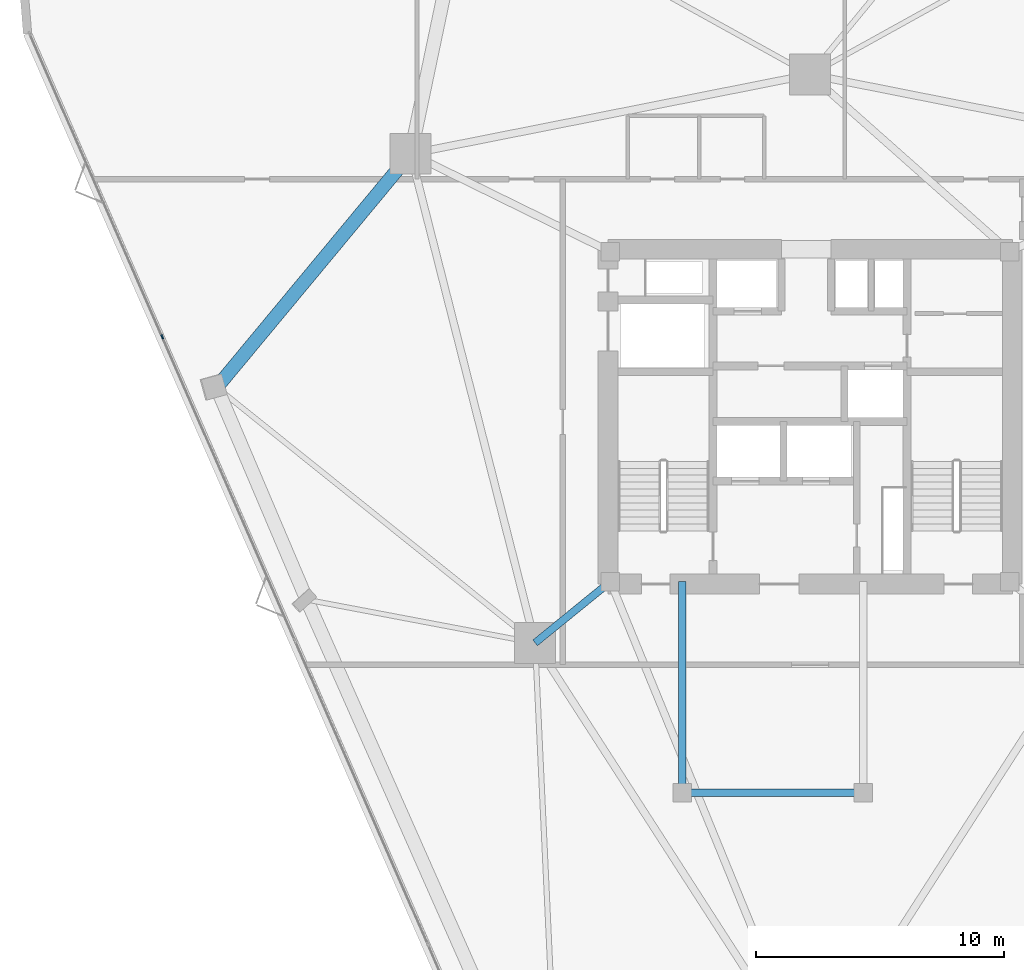
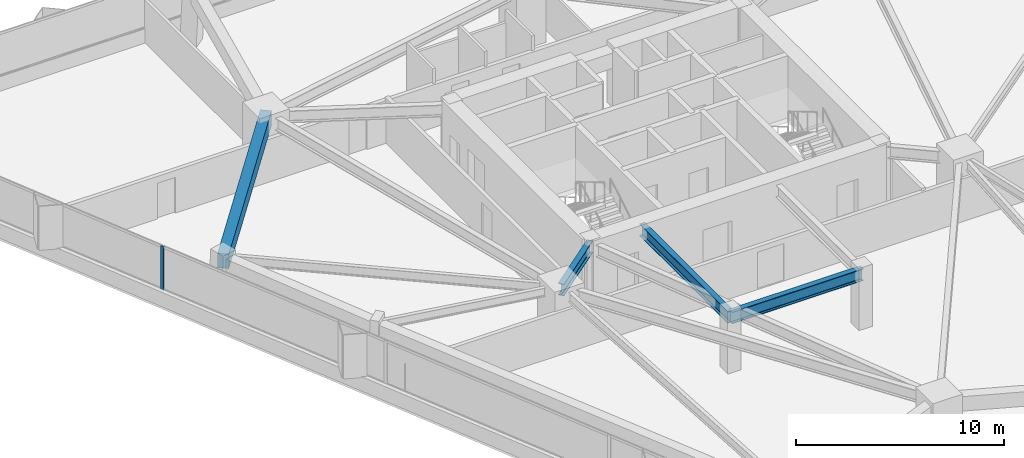
# One storey, part 6 of 19: 4 beams, 1 member, 1 element without a shape of its own.
"""IFC4 building model written with IfcOpenShell, lengths in metres."""

from ifc_helpers import new_model, si_unit, direction, frame, origin, origin_2d, place, context, subcontext, project, spatial, rectangle, i_section, extrude, material, layer, layer_set, material_profile, profile_set, type_object, element, aggregate, save


model = new_model("IFC4")

# Units and contexts
model_context = context("Model", 3, precision=1e-05, world=origin(), true_north=direction((0.0, 1.0)))
body_context = subcontext(model_context, "Body", "Model", "MODEL_VIEW")
ifc_project = project(units=[si_unit("LENGTHUNIT", "METRE"), si_unit("AREAUNIT", "SQUARE_METRE"), si_unit("VOLUMEUNIT", "CUBIC_METRE"), si_unit("PLANEANGLEUNIT", "RADIAN"), si_unit("MASSUNIT", "GRAM", prefix="KILO")], contexts=[model_context])

# Site, building, storey
site_placement = place(None, origin())
site = spatial("IfcSite", under=ifc_project, at=site_placement, CompositionType="ELEMENT")
building_placement = place(site_placement, origin())
building = spatial("IfcBuilding", under=site, at=building_placement, Name="Talyreon Biosciences Tower", CompositionType="ELEMENT")
storey_placement = place(building_placement, frame((0.0, 0.0, 82.300048828125)))
storey = spatial("IfcBuildingStorey", under=building, at=storey_placement, Name="L21", CompositionType="ELEMENT", Elevation=82.300048828125)

# Curtain wall, member
ifc_material_1 = material(Name="Thermally broken aluminium and low-E glazing", Category="aluminium")
ifc_layer = layer(ifc_material_1, 0.18994140625)
ifc_layer_set = layer_set([ifc_layer], Name="Thermally broken aluminium and low-E glazing")
curtain_wall_type = type_object("IfcCurtainWallType", Name="CurtainWall_Zone2Genomics", PredefinedType="NOTDEFINED", material=ifc_layer_set)
curtain_wall_placement = place(storey_placement, origin())
curtain_wall = element("IfcCurtainWall", 1, at=curtain_wall_placement, inside=storey, type_object=curtain_wall_type, Name="L21 Unitised Curtain Wall FCW-L21-00", PredefinedType="NOTDEFINED")
ifc_material_2 = material(Name="Anodised thermally broken aluminium", Category="aluminium")
ifc_material_profile_1 = material_profile(ifc_material_2, rectangle(XDim=0.06494140625, YDim=0.179931640625, at=origin_2d()), Name="ALUM MULLION 65x180")
ifc_profile_set_1 = profile_set([ifc_material_profile_1], Name="Anodised thermally broken aluminium")
member_type = type_object("IfcMemberType", Name="CWMullion_65x180", PredefinedType="MULLION", material=ifc_profile_set_1)
member_placement = place(storey_placement, frame((39.88134765625, 71.2197265625, 0.81005859375), z_axis=(0.0, 0.0, 1.0), x_axis=(-0.916213942072, -0.400689421314, 0.0)))
member = element("IfcMember", 2, at=member_placement, type_object=member_type, Name="CW3 mullion 5", PredefinedType="MULLION", context=body_context, shape_type="SweptSolid", body=[
    extrude(rectangle(XDim=0.06494140625, YDim=0.179931640625, at=origin_2d()), origin(), (0.0, 0.0, 1.0), 2.56494140625),
])
aggregate(curtain_wall, [member])

# Beams
ifc_material_3 = material(Name="Precast concrete C45/55", Category="concrete")
ifc_material_profile_2 = material_profile(ifc_material_3, rectangle(XDim=0.550048828125, YDim=0.85009765625, at=origin_2d()), Name="RCB 550x850")
ifc_profile_set_2 = profile_set([ifc_material_profile_2], Name="Precast concrete C45/55")
beam_type_1 = type_object("IfcBeamType", Name="ExpressedSpandrel_550x850", PredefinedType="SPANDREL", material=ifc_profile_set_2)
beam_1_placement = place(storey_placement, frame((49.897705078125, 78.5986328125, 2.949951171875), z_axis=(-0.638775196455, -0.769393428873, 0.0), x_axis=(0.769393428873, -0.638775196455, 0.0)))
element("IfcBeam", 3, at=beam_1_placement, inside=storey, type_object=beam_type_1, Name="L21 Expressed Horizontal Concrete Spandrel 09", PredefinedType="SPANDREL", context=body_context, shape_type="SweptSolid", body=[
    extrude(rectangle(XDim=0.550048828125, YDim=0.85009765625, at=origin_2d()), origin(), (0.0, 0.0, 1.0), 12.24462890625),
])
ifc_material_4 = material(Name="Steel SM355", Category="steel")
ifc_material_profile_3 = material_profile(ifc_material_4, i_section(OverallWidth=0.300048828125, OverallDepth=0.699951171875, WebThickness=0.01708984375, FlangeThickness=0.031982421875, FilletRadius=0.027099609375, at=origin_2d()), Name="HE700B")
ifc_profile_set_3 = profile_set([ifc_material_profile_3], Name="Steel SM355")
beam_type_2 = type_object("IfcBeamType", Name="SteelGirder_HE700B", PredefinedType="BEAM", material=ifc_profile_set_3)
beam_2_placement = place(storey_placement, frame((57.949951171875, 61.35009765625, 3.02490234375), z_axis=(-0.775755154013, -0.631034025249, 0.0), x_axis=(0.631034025249, -0.775755154013, 0.0)))
element("IfcBeam", 4, at=beam_2_placement, inside=storey, type_object=beam_type_2, Name="L21 Radial Primary Girder 6", PredefinedType="BEAM", context=body_context, shape_type="SweptSolid", body=[
    extrude(i_section(OverallWidth=0.300048828125, OverallDepth=0.699951171875, WebThickness=0.01708984375, FlangeThickness=0.031982421875, FilletRadius=0.027099609375, at=origin_2d()), origin(), (0.0, 0.0, 1.0), 3.913818359375),
])
beam_3_placement = place(storey_placement, frame((60.85009765625, 52.840087890625, 3.02490234375), z_axis=(1.0, 0.0, 0.0), x_axis=(0.0, 1.0, 0.0)))
element("IfcBeam", 5, at=beam_3_placement, inside=storey, type_object=beam_type_2, Name="L21 Crown Shaft Spine Girder S", PredefinedType="BEAM", context=body_context, shape_type="SweptSolid", body=[
    extrude(i_section(OverallWidth=0.300048828125, OverallDepth=0.699951171875, WebThickness=0.01708984375, FlangeThickness=0.031982421875, FilletRadius=0.027099609375, at=origin_2d()), origin(), (0.0, 0.0, 1.0), 7.2998046875),
])
beam_4_placement = place(storey_placement, frame((60.85009765625, 52.840087890625, 3.02490234375), z_axis=(0.0, 1.0, 0.0), x_axis=(-1.0, 0.0, 0.0)))
element("IfcBeam", 6, at=beam_4_placement, inside=storey, type_object=beam_type_2, Name="L21 Crown Shaft Tie Girder W", PredefinedType="BEAM", context=body_context, shape_type="SweptSolid", body=[
    extrude(i_section(OverallWidth=0.300048828125, OverallDepth=0.699951171875, WebThickness=0.01708984375, FlangeThickness=0.031982421875, FilletRadius=0.027099609375, at=origin_2d()), origin(), (0.0, 0.0, 1.0), 8.510009765625),
])

save(model, "model.ifc")
